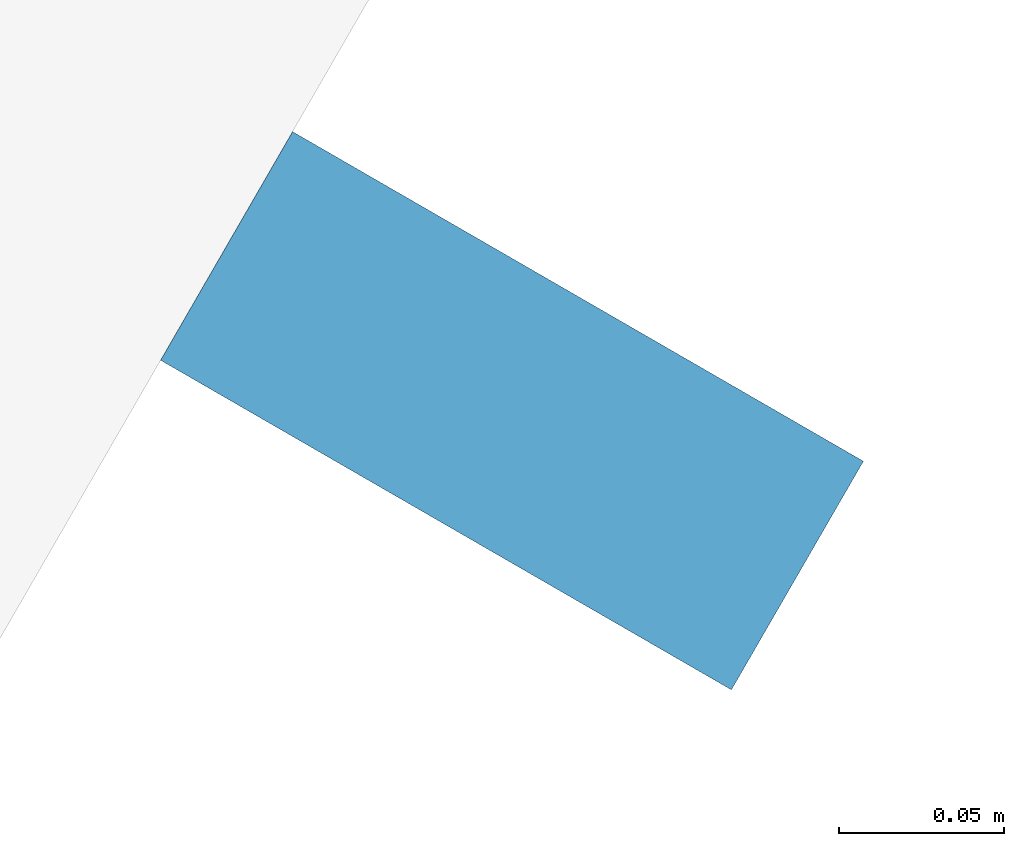
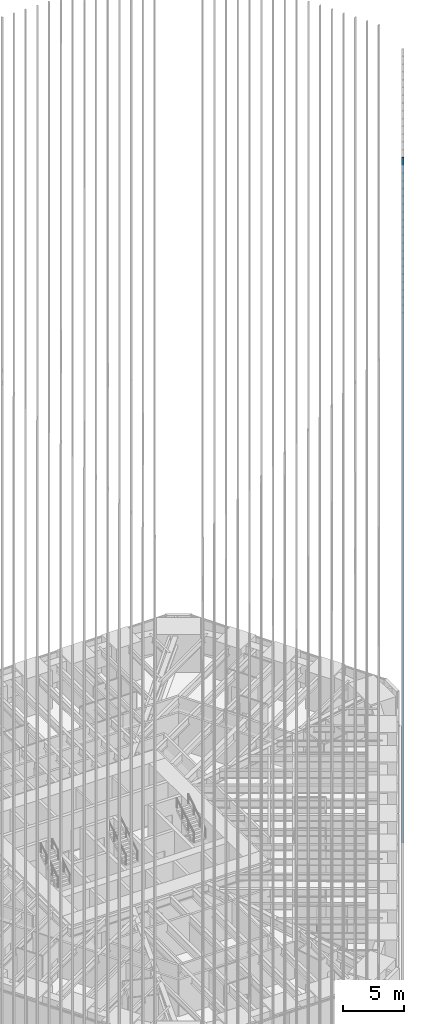
# One storey, part 113 of 256: 1 member, 1 element without a shape of its own.
"""IFC4 building model written with IfcOpenShell, lengths in metres."""

from ifc_helpers import new_model, si_unit, direction, frame, origin, origin_2d, place, context, subcontext, project, spatial, rectangle, extrude, material, material_profile, profile_set, type_object, element, aggregate, save


model = new_model("IFC4")

# Units and contexts
model_context = context("Model", 3, precision=1e-05, world=origin(), true_north=direction((0.0, 1.0)))
body_context = subcontext(model_context, "Body", "Model", "MODEL_VIEW")
ifc_project = project(units=[si_unit("LENGTHUNIT", "METRE"), si_unit("AREAUNIT", "SQUARE_METRE"), si_unit("VOLUMEUNIT", "CUBIC_METRE"), si_unit("PLANEANGLEUNIT", "RADIAN"), si_unit("MASSUNIT", "GRAM", prefix="KILO")], contexts=[model_context])

# Site, building, storey
site_placement = place(None, origin())
site = spatial("IfcSite", under=ifc_project, at=site_placement, CompositionType="ELEMENT")
building_placement = place(site_placement, origin())
building = spatial("IfcBuilding", under=site, at=building_placement, Name="Sandreach Pilgrim Tower", CompositionType="ELEMENT")
storey_placement = place(building_placement, frame((0.0, 0.0, 23.0)))
storey = spatial("IfcBuildingStorey", under=building, at=storey_placement, Name="L04", CompositionType="ELEMENT", Elevation=23.0)

# Curtain wall, member
ifc_material_1 = material(Name="Aluminium framed curtain wall", Category="aluminium")
curtain_wall_type = type_object("IfcCurtainWallType", Name="Hostel tower curtain wall", PredefinedType="NOTDEFINED", material=ifc_material_1)
curtain_wall_placement = place(storey_placement, origin())
curtain_wall = element("IfcCurtainWall", 1, at=curtain_wall_placement, inside=storey, type_object=curtain_wall_type, Name="CW-1 L04 SE", PredefinedType="NOTDEFINED")
ifc_material_2 = material(Name="Extruded terracotta on aluminium core", Category="masonry")
ifc_material_profile = material_profile(ifc_material_2, rectangle(XDim=0.080078125, YDim=0.199951171875, at=origin_2d()), Name="TBE 80X200")
ifc_profile_set = profile_set([ifc_material_profile], Name="Extruded terracotta on aluminium core")
member_type = type_object("IfcMemberType", Name="Terracotta baguette east", PredefinedType="USERDEFINED", material=ifc_profile_set)
member_placement = place(storey_placement, frame((22.7451171875, -9.301513671875, 0.0), z_axis=(0.0, 0.0, 1.0), x_axis=(-0.5, -0.866025403784, 0.0)))
member = element("IfcMember", 2, at=member_placement, type_object=member_type, Name="Baguette Z1 SE15", ObjectType="BAGUETTE", PredefinedType="USERDEFINED", context=body_context, shape_type="SweptSolid", body=[
    extrude(rectangle(XDim=0.080078125, YDim=0.199951171875, at=origin_2d()), origin(), (0.0, 0.0, 1.0), 68.239990234375),
])
aggregate(curtain_wall, [member])

save(model, "model.ifc")
